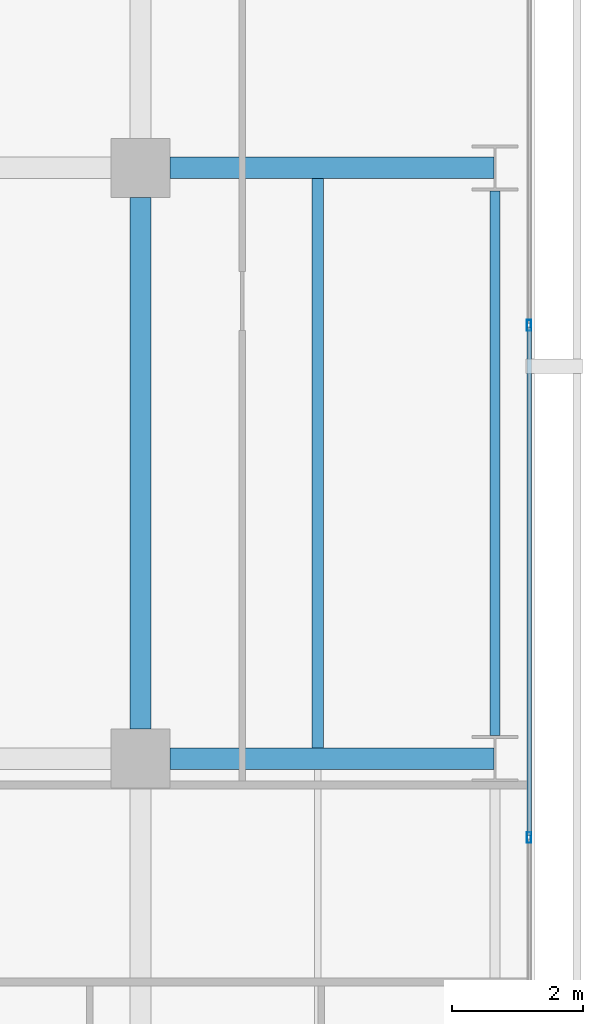
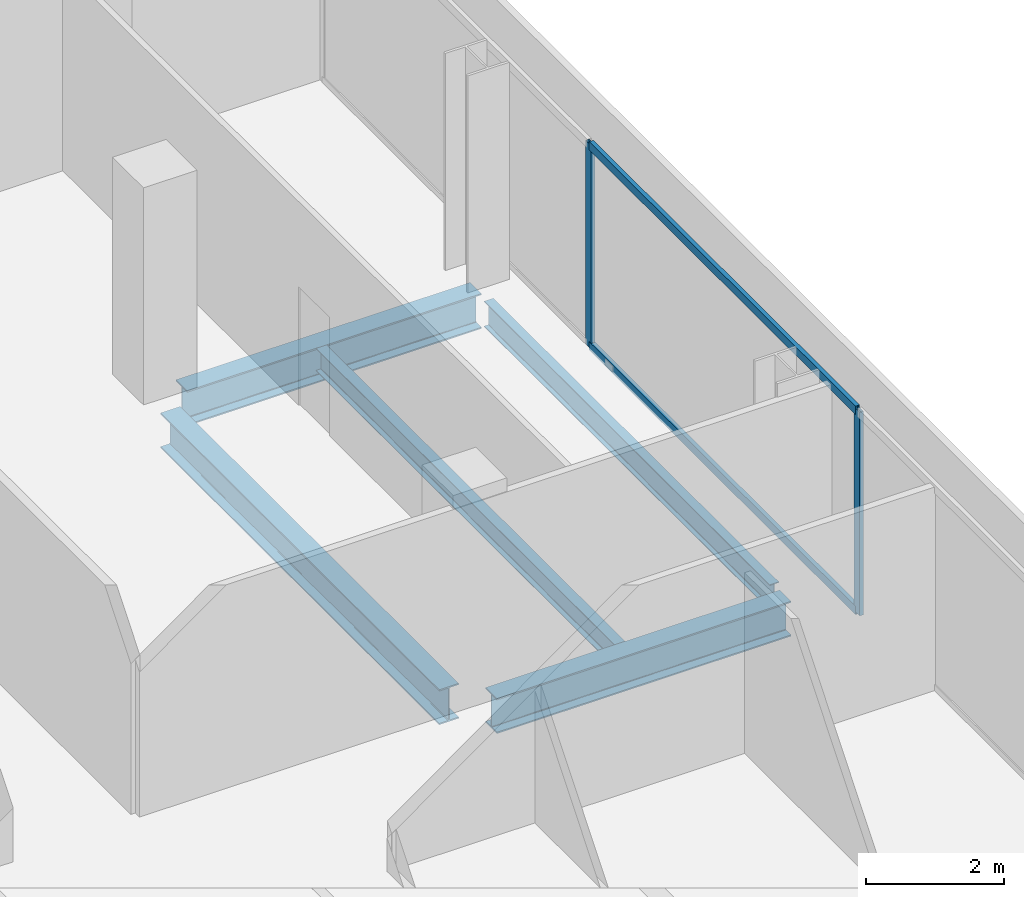
# One storey, part 28 of 39: 5 beams, 4 members, 1 element without a shape of its own.
"""IFC4 building model written with IfcOpenShell, lengths in metres."""

from ifc_helpers import new_model, si_unit, direction, frame, origin, origin_2d, place, context, subcontext, project, spatial, hollow_rectangle, i_section, extrude, material, layer, layer_set, material_profile, profile_set, type_object, element, aggregate, save


model = new_model("IFC4")

# Units and contexts
model_context = context("Model", 3, precision=1e-05, world=origin(), true_north=direction((0.0, 1.0)))
body_context = subcontext(model_context, "Body", "Model", "MODEL_VIEW")
ifc_project = project(units=[si_unit("LENGTHUNIT", "METRE"), si_unit("AREAUNIT", "SQUARE_METRE"), si_unit("VOLUMEUNIT", "CUBIC_METRE"), si_unit("PLANEANGLEUNIT", "RADIAN"), si_unit("MASSUNIT", "GRAM", prefix="KILO")], contexts=[model_context])

# Site, building, storey
site_placement = place(None, origin())
site = spatial("IfcSite", under=ifc_project, at=site_placement, CompositionType="ELEMENT")
building_placement = place(site_placement, origin())
building = spatial("IfcBuilding", under=site, at=building_placement, Name="Maruvema Waterfront Hotel and Observation Tower", CompositionType="ELEMENT")
storey_placement = place(building_placement, frame((0.0, 0.0, 69.300048828125)))
storey = spatial("IfcBuildingStorey", under=building, at=storey_placement, Name="L16", CompositionType="ELEMENT", Elevation=69.300048828125)

# Curtain wall, members
ifc_material_1 = material(Name="Anodised bronze aluminium and solar-control low-E IGU", Category="aluminium")
ifc_layer = layer(ifc_material_1, 0.159912109375, Name="Zone 1 Bronze Inner Thermal Curtain Wall System CW-02")
ifc_layer_set = layer_set([ifc_layer], Name="Anodised bronze aluminium and solar-control low-E IGU")
curtain_wall_type = type_object("IfcCurtainWallType", Name="Zone 1 Bronze Inner Thermal Curtain Wall System CW-02", PredefinedType="USERDEFINED", material=ifc_layer_set)
curtain_wall_placement = place(storey_placement, origin())
curtain_wall = element("IfcCurtainWall", 1, at=curtain_wall_placement, inside=storey, type_object=curtain_wall_type, Name="L16 Curtain Wall CW-L16-E", ObjectType="UNITISED CURTAIN WALL", PredefinedType="USERDEFINED")
ifc_material_2 = material(Name="Anodised architectural bronze aluminium", Category="aluminium")
ifc_material_profile_1 = material_profile(ifc_material_2, hollow_rectangle(XDim=0.070068359375, YDim=0.14990234375, WallThickness=0.00390625, at=origin_2d()), Name="ALU-T70x150")
ifc_profile_set_1 = profile_set([ifc_material_profile_1], Name="Anodised architectural bronze aluminium")
member_type_1 = type_object("IfcMemberType", Name="Curtain Wall Horizontal Transom ALU-T70x150", PredefinedType="USERDEFINED", material=ifc_profile_set_1)
member_1_placement = place(storey_placement, frame((64.719970703125, 34.830078125, 0.030029296875), z_axis=(0.0, 1.0, 0.0), x_axis=(-1.0, 0.0, 0.0)))
member_1 = element("IfcMember", 2, at=member_1_placement, type_object=member_type_1, Name="CW-02 transom 5.1", ObjectType="TRANSOM", PredefinedType="USERDEFINED", context=body_context, shape_type="SweptSolid", body=[
    extrude(hollow_rectangle(XDim=0.070068359375, YDim=0.14990234375, WallThickness=0.00390625, at=origin_2d()), origin(), (0.0, 0.0, 1.0), 7.739990234375),
])
member_2_placement = place(storey_placement, frame((64.719970703125, 34.830078125, 3.579833984375), z_axis=(0.0, 1.0, 0.0), x_axis=(-1.0, 0.0, 0.0)))
member_2 = element("IfcMember", 3, at=member_2_placement, type_object=member_type_1, Name="CW-02 transom 5.2", ObjectType="TRANSOM", PredefinedType="USERDEFINED", context=body_context, shape_type="SweptSolid", body=[
    extrude(hollow_rectangle(XDim=0.070068359375, YDim=0.14990234375, WallThickness=0.00390625, at=origin_2d()), origin(), (0.0, 0.0, 1.0), 7.739990234375),
])
ifc_material_3 = material(Name="Anodised architectural bronze aluminium", Category="aluminium")
ifc_material_profile_2 = material_profile(ifc_material_3, hollow_rectangle(XDim=0.06494140625, YDim=0.1650390625, WallThickness=0.00390625, at=origin_2d()), Name="ALU-M65x165")
ifc_profile_set_2 = profile_set([ifc_material_profile_2], Name="Anodised architectural bronze aluminium")
member_type_2 = type_object("IfcMemberType", Name="Curtain Wall Primary Mullion ALU-M65x165", PredefinedType="MULLION", material=ifc_profile_set_2)
member_3_placement = place(storey_placement, frame((64.719970703125, 34.800048828125, 0.0), z_axis=(0.0, 0.0, 1.0), x_axis=(-1.0, 0.0, 0.0)))
member_3 = element("IfcMember", 4, at=member_3_placement, type_object=member_type_2, Name="CW-02 mullion 5", PredefinedType="MULLION", context=body_context, shape_type="SweptSolid", body=[
    extrude(hollow_rectangle(XDim=0.06494140625, YDim=0.1650390625, WallThickness=0.00390625, at=origin_2d()), origin(), (0.0, 0.0, 1.0), 3.60986328125),
])
member_4_placement = place(storey_placement, frame((64.719970703125, 42.60009765625, 0.0), z_axis=(0.0, 0.0, 1.0), x_axis=(-1.0, 0.0, 0.0)))
member_4 = element("IfcMember", 5, at=member_4_placement, type_object=member_type_2, Name="CW-02 mullion 6", PredefinedType="MULLION", context=body_context, shape_type="SweptSolid", body=[
    extrude(hollow_rectangle(XDim=0.06494140625, YDim=0.1650390625, WallThickness=0.00390625, at=origin_2d()), origin(), (0.0, 0.0, 1.0), 3.60986328125),
])
aggregate(curtain_wall, [member_3, member_4, member_1, member_2])

# Beams
ifc_material_4 = material(Name="Steel ASTM A572 Grade 50", Category="steel")
ifc_material_profile_3 = material_profile(ifc_material_4, i_section(OverallWidth=0.153076171875, OverallDepth=0.455078125, WebThickness=0.008056640625, FlangeThickness=0.01318359375, FilletRadius=0.014892578125, at=origin_2d()), Name="W460x60.0")
ifc_profile_set_3 = profile_set([ifc_material_profile_3], Name="Steel ASTM A572 Grade 50")
beam_type_1 = type_object("IfcBeamType", Name="Perimeter Spandrel Beam W460x60.0", PredefinedType="SPANDREL", material=ifc_profile_set_3)
beam_1_placement = place(storey_placement, frame((64.199951171875, 36.35009765625, -0.467529296875), z_axis=(0.0, 1.0, 0.0), x_axis=(-1.0, 0.0, 0.0)))
element("IfcBeam", 6, at=beam_1_placement, inside=storey, type_object=beam_type_1, Name="L16 Floor Girder NS-36", PredefinedType="SPANDREL", context=body_context, shape_type="SweptSolid", body=[
    extrude(i_section(OverallWidth=0.153076171875, OverallDepth=0.455078125, WebThickness=0.008056640625, FlangeThickness=0.01318359375, FilletRadius=0.014892578125, at=origin_2d()), origin(), (0.0, 0.0, 1.0), 8.2998046875),
])
ifc_material_5 = material(Name="Steel ASTM A572 Grade 50", Category="steel")
ifc_material_profile_4 = material_profile(ifc_material_5, i_section(OverallWidth=0.326904296875, OverallDepth=0.6220703125, WebThickness=0.015380859375, FlangeThickness=0.0244140625, FilletRadius=0.01806640625, at=origin_2d()), Name="W610x195.0")
ifc_profile_set_4 = profile_set([ifc_material_profile_4], Name="Steel ASTM A572 Grade 50")
beam_type_2 = type_object("IfcBeamType", Name="Primary Floor Girder W610x195.0", PredefinedType="BEAM", material=ifc_profile_set_4)
for number, where, z_axis, x_axis, name in (
    (7, (59.25, 36.0, -0.551025390625), (1.0, 0.0, 0.0), (0.0, 1.0, 0.0), "L16 Floor Girder EW-31"),
    (8, (59.25, 45.0, -0.551025390625), (1.0, 0.0, 0.0), (0.0, 1.0, 0.0), "L16 Floor Girder EW-35"),
):
    element("IfcBeam", number, at=place(storey_placement, frame(where, z_axis=z_axis, x_axis=x_axis)), inside=storey, type_object=beam_type_2, Name=name, PredefinedType="BEAM", context=body_context, shape_type="SweptSolid", body=[
        extrude(i_section(OverallWidth=0.326904296875, OverallDepth=0.6220703125, WebThickness=0.015380859375, FlangeThickness=0.0244140625, FilletRadius=0.01806640625, at=origin_2d()), origin(), (0.0, 0.0, 1.0), 4.93603515625),
    ])
beam_2_placement = place(storey_placement, frame((58.800048828125, 36.449951171875, -0.551025390625), z_axis=(0.0, 1.0, 0.0), x_axis=(-1.0, 0.0, 0.0)))
element("IfcBeam", 9, at=beam_2_placement, inside=storey, type_object=beam_type_2, Name="L16 Floor Girder NS-31", PredefinedType="BEAM", context=body_context, shape_type="SweptSolid", body=[
    extrude(i_section(OverallWidth=0.326904296875, OverallDepth=0.6220703125, WebThickness=0.015380859375, FlangeThickness=0.0244140625, FilletRadius=0.01806640625, at=origin_2d()), origin(), (0.0, 0.0, 1.0), 8.10009765625),
])
ifc_material_6 = material(Name="Steel ASTM A572 Grade 50", Category="steel")
ifc_material_profile_5 = material_profile(ifc_material_6, i_section(OverallWidth=0.177001953125, OverallDepth=0.403076171875, WebThickness=0.007568359375, FlangeThickness=0.010986328125, FilletRadius=0.014892578125, at=origin_2d()), Name="W410x53.0")
ifc_profile_set_5 = profile_set([ifc_material_profile_5], Name="Steel ASTM A572 Grade 50")
beam_type_3 = type_object("IfcBeamType", Name="Secondary Floor Joist W410x53.0", PredefinedType="JOIST", material=ifc_profile_set_5)
beam_3_placement = place(storey_placement, frame((61.5, 36.16357421875, -0.441650390625), z_axis=(0.0, 1.0, 0.0), x_axis=(-1.0, 0.0, 0.0)))
element("IfcBeam", 10, at=beam_3_placement, inside=storey, type_object=beam_type_3, Name="L16 Secondary Floor Joist JS-24", PredefinedType="JOIST", context=body_context, shape_type="SweptSolid", body=[
    extrude(i_section(OverallWidth=0.177001953125, OverallDepth=0.403076171875, WebThickness=0.007568359375, FlangeThickness=0.010986328125, FilletRadius=0.014892578125, at=origin_2d()), origin(), (0.0, 0.0, 1.0), 8.6728515625),
])

save(model, "model.ifc")
